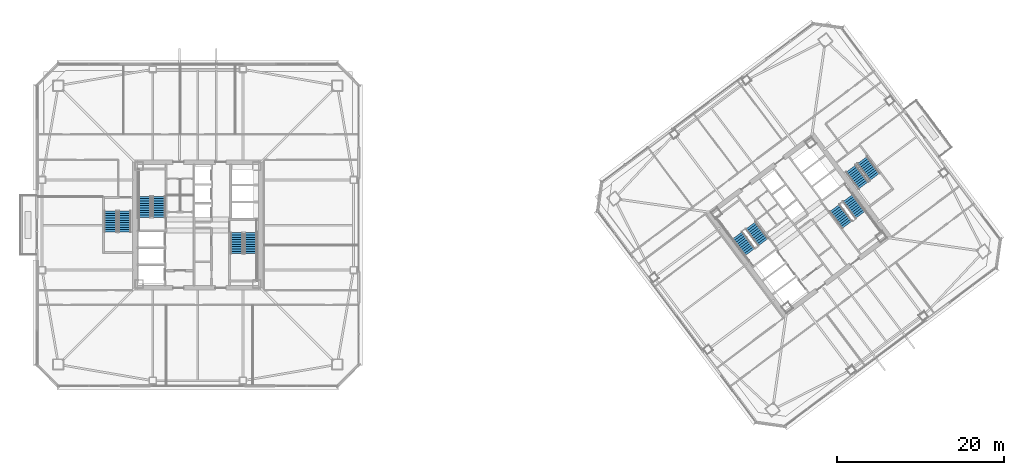
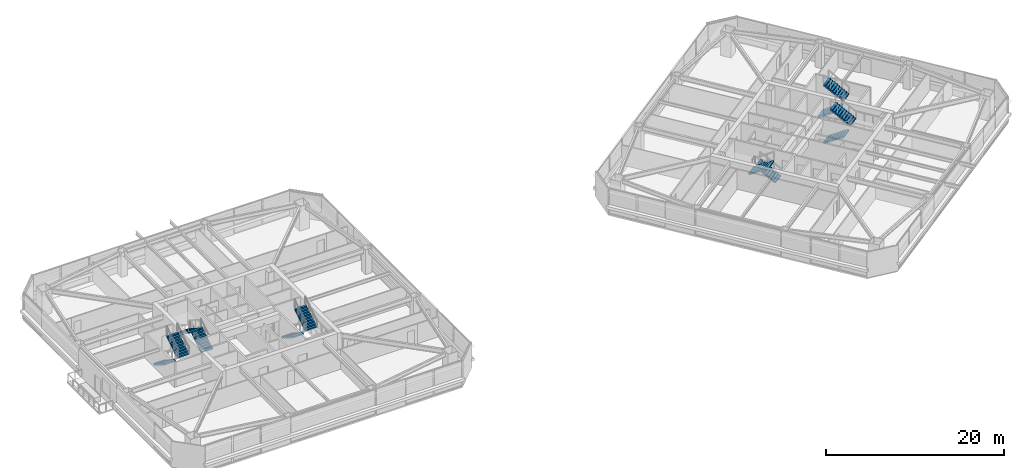
# One storey, part 40 of 46: 12 stair flights, 6 elements without a shape of their own.
"""IFC4 building model written with IfcOpenShell, lengths in metres."""

from ifc_helpers import new_model, si_unit, direction, frame, origin, place, context, subcontext, project, spatial, polyline, outline, extrude, material, type_object, element, aggregate, save


model = new_model("IFC4")

# Units and contexts
model_context = context("Model", 3, precision=1e-05, world=origin(), true_north=direction((0.0, 1.0)))
body_context = subcontext(model_context, "Body", "Model", "MODEL_VIEW")
ifc_project = project(units=[si_unit("LENGTHUNIT", "METRE"), si_unit("AREAUNIT", "SQUARE_METRE"), si_unit("VOLUMEUNIT", "CUBIC_METRE"), si_unit("PLANEANGLEUNIT", "RADIAN"), si_unit("MASSUNIT", "GRAM", prefix="KILO")], contexts=[model_context])

# Site, building, storey
site_placement = place(None, origin())
site = spatial("IfcSite", under=ifc_project, at=site_placement, CompositionType="ELEMENT")
building_placement = place(site_placement, origin())
building = spatial("IfcBuilding", under=site, at=building_placement, Name="Tashvorn Skyway Center", CompositionType="ELEMENT")
storey_placement = place(building_placement, frame((0.0, 0.0, 132.14990234375)))
storey = spatial("IfcBuildingStorey", under=building, at=storey_placement, Name="L35", CompositionType="ELEMENT", Elevation=132.14990234375)

# Stair, stair flights
ifc_material = material(Name="Concrete C40/50", Category="concrete")
stair_type = type_object("IfcStairType", Name="STAIR-CORE-1500", PredefinedType="HALF_TURN_STAIR", material=ifc_material)
stair_1_placement = place(storey_placement, origin())
stair_1 = element("IfcStair", 1, at=stair_1_placement, inside=storey, type_object=stair_type, Name="L35 Tower 1 Exit Stair 1", PredefinedType="HALF_TURN_STAIR")
stair_flight_type = type_object("IfcStairFlightType", Name="SFLIGHT-1500", PredefinedType="STRAIGHT", material=ifc_material)
stair_flight_1_placement = place(storey_placement, frame((37.35009765625, 32.919921875, 0.0), z_axis=(0.0, 0.0, 1.0), x_axis=(0.0, 1.0, 0.0)))
stair_flight_1 = element("IfcStairFlight", 2, at=stair_flight_1_placement, type_object=stair_flight_type, Name="ST-T1-1 flight 1", NumberOfRisers=10, NumberOfTreads=9, PredefinedType="STRAIGHT", RiserHeight=0.1775, TreadLength=0.28, context=body_context, shape_type="SweptSolid", body=[
    extrude(outline(polyline([(0.0, 0.0), (0.0, 0.177490234375), (0.280029296875, 0.177490234375), (0.280029296875, 0.35498046875), (0.56005859375, 0.35498046875), (0.56005859375, 0.532470703125), (0.840087890625, 0.532470703125), (0.840087890625, 0.7099609375), (1.1201171875, 0.7099609375), (1.1201171875, 0.887451171875), (1.39990234375, 0.887451171875), (1.39990234375, 1.06494140625), (1.679931640625, 1.06494140625), (1.679931640625, 1.242431640625), (1.9599609375, 1.242431640625), (1.9599609375, 1.419921875), (2.239990234375, 1.419921875), (2.239990234375, 1.597412109375), (2.52001953125, 1.597412109375), (2.52001953125, 1.77490234375), (2.52001953125, 1.419921875), (0.280029296875, 0.0), (0.0, 0.0)])), frame((0.0, 0.75, 0.0), z_axis=(0.0, -1.0, 0.0), x_axis=(1.0, 0.0, 0.0)), (0.0, 0.0, 1.0), 1.5),
])
stair_flight_2_placement = place(storey_placement, frame((35.64990234375, 35.43994140625, 1.775146484375), z_axis=(0.0, 0.0, 1.0), x_axis=(0.0, -1.0, 0.0)))
stair_flight_2 = element("IfcStairFlight", 3, at=stair_flight_2_placement, type_object=stair_flight_type, Name="ST-T1-1 flight 2", NumberOfRisers=10, NumberOfTreads=9, PredefinedType="STRAIGHT", RiserHeight=0.1775, TreadLength=0.28, context=body_context, shape_type="SweptSolid", body=[
    extrude(outline(polyline([(0.0, 0.0), (0.0, 0.177490234375), (0.280029296875, 0.177490234375), (0.280029296875, 0.35498046875), (0.56005859375, 0.35498046875), (0.56005859375, 0.532470703125), (0.840087890625, 0.532470703125), (0.840087890625, 0.7099609375), (1.1201171875, 0.7099609375), (1.1201171875, 0.887451171875), (1.39990234375, 0.887451171875), (1.39990234375, 1.06494140625), (1.679931640625, 1.06494140625), (1.679931640625, 1.242431640625), (1.9599609375, 1.242431640625), (1.9599609375, 1.419921875), (2.239990234375, 1.419921875), (2.239990234375, 1.597412109375), (2.52001953125, 1.597412109375), (2.52001953125, 1.77490234375), (2.52001953125, 1.419921875), (0.280029296875, 0.0), (0.0, 0.0)])), frame((0.0, 0.75, 0.0), z_axis=(0.0, -1.0, 0.0), x_axis=(1.0, 0.0, 0.0)), (0.0, 0.0, 1.0), 1.5),
])
aggregate(stair_1, [stair_flight_1, stair_flight_2])

stair_2_placement = place(storey_placement, origin())
stair_2 = element("IfcStair", 4, at=stair_2_placement, inside=storey, type_object=stair_type, Name="L35 Tower 1 Exit Stair 2", PredefinedType="HALF_TURN_STAIR")
stair_flight_3_placement = place(storey_placement, frame((46.64990234375, 31.080078125, 0.0), z_axis=(0.0, 0.0, 1.0), x_axis=(0.0, -1.0, 0.0)))
stair_flight_3 = element("IfcStairFlight", 5, at=stair_flight_3_placement, type_object=stair_flight_type, Name="ST-T1-2 flight 1", NumberOfRisers=10, NumberOfTreads=9, PredefinedType="STRAIGHT", RiserHeight=0.1775, TreadLength=0.28, context=body_context, shape_type="SweptSolid", body=[
    extrude(outline(polyline([(0.0, 0.0), (0.0, 0.177490234375), (0.280029296875, 0.177490234375), (0.280029296875, 0.35498046875), (0.56005859375, 0.35498046875), (0.56005859375, 0.532470703125), (0.840087890625, 0.532470703125), (0.840087890625, 0.7099609375), (1.1201171875, 0.7099609375), (1.1201171875, 0.887451171875), (1.39990234375, 0.887451171875), (1.39990234375, 1.06494140625), (1.679931640625, 1.06494140625), (1.679931640625, 1.242431640625), (1.9599609375, 1.242431640625), (1.9599609375, 1.419921875), (2.239990234375, 1.419921875), (2.239990234375, 1.597412109375), (2.52001953125, 1.597412109375), (2.52001953125, 1.77490234375), (2.52001953125, 1.419921875), (0.280029296875, 0.0), (0.0, 0.0)])), frame((0.0, 0.75, 0.0), z_axis=(0.0, -1.0, 0.0), x_axis=(1.0, 0.0, 0.0)), (0.0, 0.0, 1.0), 1.5),
])
stair_flight_4_placement = place(storey_placement, frame((48.35009765625, 28.56005859375, 1.775146484375), z_axis=(0.0, 0.0, 1.0), x_axis=(0.0, 1.0, 0.0)))
stair_flight_4 = element("IfcStairFlight", 6, at=stair_flight_4_placement, type_object=stair_flight_type, Name="ST-T1-2 flight 2", NumberOfRisers=10, NumberOfTreads=9, PredefinedType="STRAIGHT", RiserHeight=0.1775, TreadLength=0.28, context=body_context, shape_type="SweptSolid", body=[
    extrude(outline(polyline([(0.0, 0.0), (0.0, 0.177490234375), (0.280029296875, 0.177490234375), (0.280029296875, 0.35498046875), (0.56005859375, 0.35498046875), (0.56005859375, 0.532470703125), (0.840087890625, 0.532470703125), (0.840087890625, 0.7099609375), (1.1201171875, 0.7099609375), (1.1201171875, 0.887451171875), (1.39990234375, 0.887451171875), (1.39990234375, 1.06494140625), (1.679931640625, 1.06494140625), (1.679931640625, 1.242431640625), (1.9599609375, 1.242431640625), (1.9599609375, 1.419921875), (2.239990234375, 1.419921875), (2.239990234375, 1.597412109375), (2.52001953125, 1.597412109375), (2.52001953125, 1.77490234375), (2.52001953125, 1.419921875), (0.280029296875, 0.0), (0.0, 0.0)])), frame((0.0, 0.75, 0.0), z_axis=(0.0, -1.0, 0.0), x_axis=(1.0, 0.0, 0.0)), (0.0, 0.0, 1.0), 1.5),
])
aggregate(stair_2, [stair_flight_3, stair_flight_4])

stair_3_placement = place(storey_placement, origin())
stair_3 = element("IfcStair", 7, at=stair_3_placement, inside=storey, type_object=stair_type, Name="L35 Tower 2 Exit Stair 1", PredefinedType="HALF_TURN_STAIR")
stair_flight_5_placement = place(storey_placement, frame((109.72802734375, 29.946044921875, 0.0), z_axis=(0.0, 0.0, 1.0), x_axis=(-0.600000004945, 0.799999996291, 0.0)))
stair_flight_5 = element("IfcStairFlight", 8, at=stair_flight_5_placement, type_object=stair_flight_type, Name="ST-T2-1 flight 1", NumberOfRisers=10, NumberOfTreads=9, PredefinedType="STRAIGHT", RiserHeight=0.1775, TreadLength=0.28, context=body_context, shape_type="SweptSolid", body=[
    extrude(outline(polyline([(0.0, 0.0), (0.0, 0.177490234375), (0.280029296875, 0.177490234375), (0.280029296875, 0.35498046875), (0.56005859375, 0.35498046875), (0.56005859375, 0.532470703125), (0.840087890625, 0.532470703125), (0.840087890625, 0.7099609375), (1.1201171875, 0.7099609375), (1.1201171875, 0.887451171875), (1.39990234375, 0.887451171875), (1.39990234375, 1.06494140625), (1.679931640625, 1.06494140625), (1.679931640625, 1.242431640625), (1.9599609375, 1.242431640625), (1.9599609375, 1.419921875), (2.239990234375, 1.419921875), (2.239990234375, 1.597412109375), (2.52001953125, 1.597412109375), (2.52001953125, 1.77490234375), (2.52001953125, 1.419921875), (0.280029296875, 0.0), (0.0, 0.0)])), frame((0.0, 0.75, 0.0), z_axis=(0.0, -1.0, 0.0), x_axis=(1.0, 0.0, 0.0)), (0.0, 0.0, 1.0), 1.5),
])
stair_flight_6_placement = place(storey_placement, frame((106.632080078125, 30.77392578125, 1.775146484375), z_axis=(0.0, 0.0, 1.0), x_axis=(0.600000004945, -0.799999996291, 0.0)))
stair_flight_6 = element("IfcStairFlight", 9, at=stair_flight_6_placement, type_object=stair_flight_type, Name="ST-T2-1 flight 2", NumberOfRisers=10, NumberOfTreads=9, PredefinedType="STRAIGHT", RiserHeight=0.1775, TreadLength=0.28, context=body_context, shape_type="SweptSolid", body=[
    extrude(outline(polyline([(0.0, 0.0), (0.0, 0.177490234375), (0.280029296875, 0.177490234375), (0.280029296875, 0.35498046875), (0.56005859375, 0.35498046875), (0.56005859375, 0.532470703125), (0.840087890625, 0.532470703125), (0.840087890625, 0.7099609375), (1.1201171875, 0.7099609375), (1.1201171875, 0.887451171875), (1.39990234375, 0.887451171875), (1.39990234375, 1.06494140625), (1.679931640625, 1.06494140625), (1.679931640625, 1.242431640625), (1.9599609375, 1.242431640625), (1.9599609375, 1.419921875), (2.239990234375, 1.419921875), (2.239990234375, 1.597412109375), (2.52001953125, 1.597412109375), (2.52001953125, 1.77490234375), (2.52001953125, 1.419921875), (0.280029296875, 0.0), (0.0, 0.0)])), frame((0.0, 0.75, 0.0), z_axis=(0.0, -1.0, 0.0), x_axis=(1.0, 0.0, 0.0)), (0.0, 0.0, 1.0), 1.5),
])
aggregate(stair_3, [stair_flight_5, stair_flight_6])

stair_4_placement = place(storey_placement, origin())
stair_4 = element("IfcStair", 10, at=stair_4_placement, inside=storey, type_object=stair_type, Name="L35 Tower 2 Exit Stair 2", PredefinedType="HALF_TURN_STAIR")
stair_flight_7_placement = place(storey_placement, frame((118.27197265625, 34.053955078125, 0.0), z_axis=(0.0, 0.0, 1.0), x_axis=(0.600000004945, -0.799999996291, 0.0)))
stair_flight_7 = element("IfcStairFlight", 11, at=stair_flight_7_placement, type_object=stair_flight_type, Name="ST-T2-2 flight 1", NumberOfRisers=10, NumberOfTreads=9, PredefinedType="STRAIGHT", RiserHeight=0.1775, TreadLength=0.28, context=body_context, shape_type="SweptSolid", body=[
    extrude(outline(polyline([(0.0, 0.0), (0.0, 0.177490234375), (0.280029296875, 0.177490234375), (0.280029296875, 0.35498046875), (0.56005859375, 0.35498046875), (0.56005859375, 0.532470703125), (0.840087890625, 0.532470703125), (0.840087890625, 0.7099609375), (1.1201171875, 0.7099609375), (1.1201171875, 0.887451171875), (1.39990234375, 0.887451171875), (1.39990234375, 1.06494140625), (1.679931640625, 1.06494140625), (1.679931640625, 1.242431640625), (1.9599609375, 1.242431640625), (1.9599609375, 1.419921875), (2.239990234375, 1.419921875), (2.239990234375, 1.597412109375), (2.52001953125, 1.597412109375), (2.52001953125, 1.77490234375), (2.52001953125, 1.419921875), (0.280029296875, 0.0), (0.0, 0.0)])), frame((0.0, 0.75, 0.0), z_axis=(0.0, -1.0, 0.0), x_axis=(1.0, 0.0, 0.0)), (0.0, 0.0, 1.0), 1.5),
])
stair_flight_8_placement = place(storey_placement, frame((121.367919921875, 33.22607421875, 1.775146484375), z_axis=(0.0, 0.0, 1.0), x_axis=(-0.600000004945, 0.799999996291, 0.0)))
stair_flight_8 = element("IfcStairFlight", 12, at=stair_flight_8_placement, type_object=stair_flight_type, Name="ST-T2-2 flight 2", NumberOfRisers=10, NumberOfTreads=9, PredefinedType="STRAIGHT", RiserHeight=0.1775, TreadLength=0.28, context=body_context, shape_type="SweptSolid", body=[
    extrude(outline(polyline([(0.0, 0.0), (0.0, 0.177490234375), (0.280029296875, 0.177490234375), (0.280029296875, 0.35498046875), (0.56005859375, 0.35498046875), (0.56005859375, 0.532470703125), (0.840087890625, 0.532470703125), (0.840087890625, 0.7099609375), (1.1201171875, 0.7099609375), (1.1201171875, 0.887451171875), (1.39990234375, 0.887451171875), (1.39990234375, 1.06494140625), (1.679931640625, 1.06494140625), (1.679931640625, 1.242431640625), (1.9599609375, 1.242431640625), (1.9599609375, 1.419921875), (2.239990234375, 1.419921875), (2.239990234375, 1.597412109375), (2.52001953125, 1.597412109375), (2.52001953125, 1.77490234375), (2.52001953125, 1.419921875), (0.280029296875, 0.0), (0.0, 0.0)])), frame((0.0, 0.75, 0.0), z_axis=(0.0, -1.0, 0.0), x_axis=(1.0, 0.0, 0.0)), (0.0, 0.0, 1.0), 1.5),
])
aggregate(stair_4, [stair_flight_7, stair_flight_8])

stair_5_placement = place(storey_placement, origin())
stair_5 = element("IfcStair", 13, at=stair_5_placement, inside=storey, type_object=stair_type, Name="L35 Tower 1 Exit Stair 3", PredefinedType="HALF_TURN_STAIR")
stair_flight_9_placement = place(storey_placement, frame((31.550048828125, 33.679931640625, 0.0), z_axis=(0.0, 0.0, 1.0), x_axis=(0.0, -1.0, 0.0)))
stair_flight_9 = element("IfcStairFlight", 14, at=stair_flight_9_placement, type_object=stair_flight_type, Name="ST-T1-3 flight 1", NumberOfRisers=10, NumberOfTreads=9, PredefinedType="STRAIGHT", RiserHeight=0.1775, TreadLength=0.28, context=body_context, shape_type="SweptSolid", body=[
    extrude(outline(polyline([(0.0, 0.0), (0.0, 0.177490234375), (0.280029296875, 0.177490234375), (0.280029296875, 0.35498046875), (0.56005859375, 0.35498046875), (0.56005859375, 0.532470703125), (0.840087890625, 0.532470703125), (0.840087890625, 0.7099609375), (1.1201171875, 0.7099609375), (1.1201171875, 0.887451171875), (1.39990234375, 0.887451171875), (1.39990234375, 1.06494140625), (1.679931640625, 1.06494140625), (1.679931640625, 1.242431640625), (1.9599609375, 1.242431640625), (1.9599609375, 1.419921875), (2.239990234375, 1.419921875), (2.239990234375, 1.597412109375), (2.52001953125, 1.597412109375), (2.52001953125, 1.77490234375), (2.52001953125, 1.419921875), (0.280029296875, 0.0), (0.0, 0.0)])), frame((0.0, 0.75, 0.0), z_axis=(0.0, -1.0, 0.0), x_axis=(1.0, 0.0, 0.0)), (0.0, 0.0, 1.0), 1.5),
])
stair_flight_10_placement = place(storey_placement, frame((33.25, 31.159912109375, 1.775146484375), z_axis=(0.0, 0.0, 1.0), x_axis=(0.0, 1.0, 0.0)))
stair_flight_10 = element("IfcStairFlight", 15, at=stair_flight_10_placement, type_object=stair_flight_type, Name="ST-T1-3 flight 2", NumberOfRisers=10, NumberOfTreads=9, PredefinedType="STRAIGHT", RiserHeight=0.1775, TreadLength=0.28, context=body_context, shape_type="SweptSolid", body=[
    extrude(outline(polyline([(0.0, 0.0), (0.0, 0.177490234375), (0.280029296875, 0.177490234375), (0.280029296875, 0.35498046875), (0.56005859375, 0.35498046875), (0.56005859375, 0.532470703125), (0.840087890625, 0.532470703125), (0.840087890625, 0.7099609375), (1.1201171875, 0.7099609375), (1.1201171875, 0.887451171875), (1.39990234375, 0.887451171875), (1.39990234375, 1.06494140625), (1.679931640625, 1.06494140625), (1.679931640625, 1.242431640625), (1.9599609375, 1.242431640625), (1.9599609375, 1.419921875), (2.239990234375, 1.419921875), (2.239990234375, 1.597412109375), (2.52001953125, 1.597412109375), (2.52001953125, 1.77490234375), (2.52001953125, 1.419921875), (0.280029296875, 0.0), (0.0, 0.0)])), frame((0.0, 0.75, 0.0), z_axis=(0.0, -1.0, 0.0), x_axis=(1.0, 0.0, 0.0)), (0.0, 0.0, 1.0), 1.5),
])
aggregate(stair_5, [stair_flight_9, stair_flight_10])

stair_6_placement = place(storey_placement, origin())
stair_6 = element("IfcStair", 16, at=stair_6_placement, inside=storey, type_object=stair_type, Name="L35 Tower 2 Exit Stair 3", PredefinedType="HALF_TURN_STAIR")
stair_flight_11_placement = place(storey_placement, frame((120.216064453125, 38.761962890625, 0.0), z_axis=(0.0, 0.0, 1.0), x_axis=(0.600000004945, -0.799999996291, 0.0)))
stair_flight_11 = element("IfcStairFlight", 17, at=stair_flight_11_placement, type_object=stair_flight_type, Name="ST-T2-3 flight 1", NumberOfRisers=10, NumberOfTreads=9, PredefinedType="STRAIGHT", RiserHeight=0.1775, TreadLength=0.28, context=body_context, shape_type="SweptSolid", body=[
    extrude(outline(polyline([(0.0, 0.0), (0.0, 0.177490234375), (0.280029296875, 0.177490234375), (0.280029296875, 0.35498046875), (0.56005859375, 0.35498046875), (0.56005859375, 0.532470703125), (0.840087890625, 0.532470703125), (0.840087890625, 0.7099609375), (1.1201171875, 0.7099609375), (1.1201171875, 0.887451171875), (1.39990234375, 0.887451171875), (1.39990234375, 1.06494140625), (1.679931640625, 1.06494140625), (1.679931640625, 1.242431640625), (1.9599609375, 1.242431640625), (1.9599609375, 1.419921875), (2.239990234375, 1.419921875), (2.239990234375, 1.597412109375), (2.52001953125, 1.597412109375), (2.52001953125, 1.77490234375), (2.52001953125, 1.419921875), (0.280029296875, 0.0), (0.0, 0.0)])), frame((0.0, 0.75, 0.0), z_axis=(0.0, -1.0, 0.0), x_axis=(1.0, 0.0, 0.0)), (0.0, 0.0, 1.0), 1.5),
])
stair_flight_12_placement = place(storey_placement, frame((123.087890625, 37.76611328125, 1.775146484375), z_axis=(0.0, 0.0, 1.0), x_axis=(-0.600000004945, 0.799999996291, 0.0)))
stair_flight_12 = element("IfcStairFlight", 18, at=stair_flight_12_placement, type_object=stair_flight_type, Name="ST-T2-3 flight 2", NumberOfRisers=10, NumberOfTreads=9, PredefinedType="STRAIGHT", RiserHeight=0.1775, TreadLength=0.28, context=body_context, shape_type="SweptSolid", body=[
    extrude(outline(polyline([(0.0, 0.0), (0.0, 0.177490234375), (0.280029296875, 0.177490234375), (0.280029296875, 0.35498046875), (0.56005859375, 0.35498046875), (0.56005859375, 0.532470703125), (0.840087890625, 0.532470703125), (0.840087890625, 0.7099609375), (1.1201171875, 0.7099609375), (1.1201171875, 0.887451171875), (1.39990234375, 0.887451171875), (1.39990234375, 1.06494140625), (1.679931640625, 1.06494140625), (1.679931640625, 1.242431640625), (1.9599609375, 1.242431640625), (1.9599609375, 1.419921875), (2.239990234375, 1.419921875), (2.239990234375, 1.597412109375), (2.52001953125, 1.597412109375), (2.52001953125, 1.77490234375), (2.52001953125, 1.419921875), (0.280029296875, 0.0), (0.0, 0.0)])), frame((0.0, 0.75, 0.0), z_axis=(0.0, -1.0, 0.0), x_axis=(1.0, 0.0, 0.0)), (0.0, 0.0, 1.0), 1.5),
])
aggregate(stair_6, [stair_flight_11, stair_flight_12])

save(model, "model.ifc")
